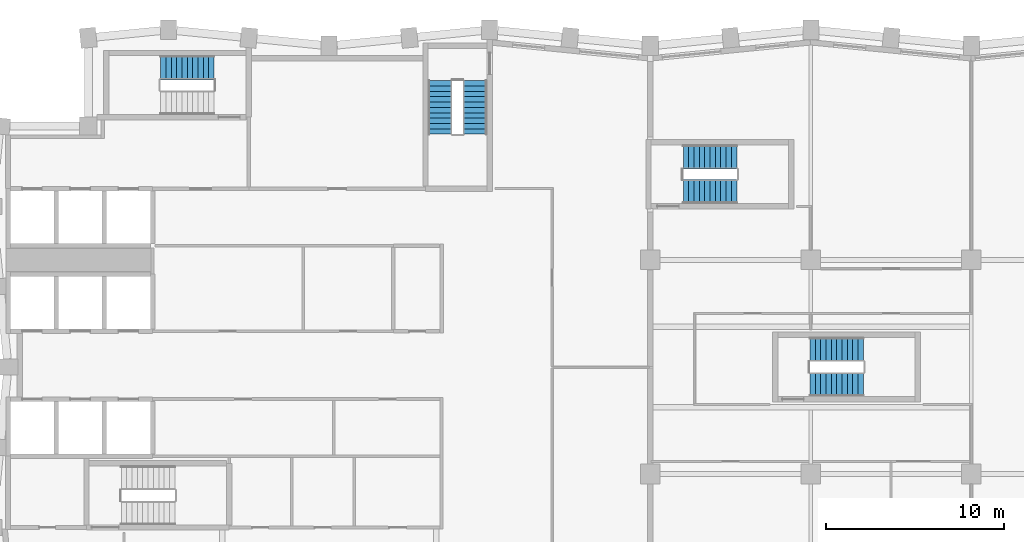
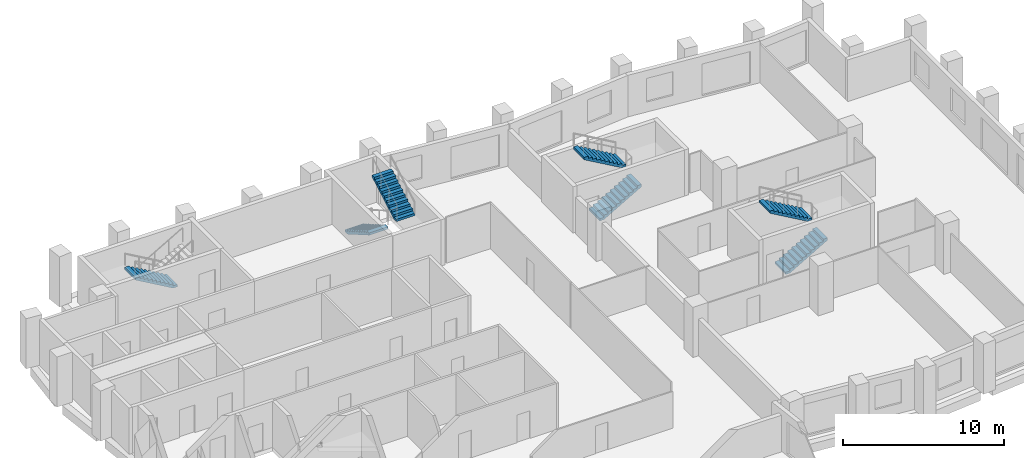
# One storey, part 8 of 10: 7 stair flights, 4 elements without a shape of their own.
"""IFC4 building model written with IfcOpenShell, lengths in metres."""

from ifc_helpers import new_model, si_unit, direction, frame, origin, place, context, subcontext, project, spatial, polyline, outline, extrude, material, type_object, element, aggregate, save


model = new_model("IFC4")

# Units and contexts
model_context = context("Model", 3, precision=1e-05, world=origin(), true_north=direction((0.0, 1.0)))
body_context = subcontext(model_context, "Body", "Model", "MODEL_VIEW")
ifc_project = project(units=[si_unit("LENGTHUNIT", "METRE"), si_unit("AREAUNIT", "SQUARE_METRE"), si_unit("VOLUMEUNIT", "CUBIC_METRE"), si_unit("PLANEANGLEUNIT", "RADIAN"), si_unit("MASSUNIT", "GRAM", prefix="KILO")], contexts=[model_context])

# Site, building, storey
site_placement = place(None, origin())
site = spatial("IfcSite", under=ifc_project, at=site_placement, CompositionType="ELEMENT")
building_placement = place(site_placement, origin())
building = spatial("IfcBuilding", under=site, at=building_placement, Name="Brondeck Convention Tower", CompositionType="ELEMENT")
storey_placement = place(building_placement, frame((0.0, 0.0, 154.800048828125)))
storey = spatial("IfcBuildingStorey", under=building, at=storey_placement, Name="L37", CompositionType="ELEMENT", Elevation=154.800048828125)

# Stair, stair flights
ifc_material = material(Name="Precast concrete C50/60", Category="concrete")
stair_type = type_object("IfcStairType", Name="Core stair 22 risers 172.73 mm riser 300 mm going 1350 wide", PredefinedType="HALF_TURN_STAIR", material=ifc_material)
stair_1_placement = place(storey_placement, origin())
stair_1 = element("IfcStair", 1, at=stair_1_placement, inside=storey, type_object=stair_type, Name="ST-2 L37 stair", PredefinedType="HALF_TURN_STAIR")
stair_flight_type = type_object("IfcStairFlightType", Name="Core stair flight 22 risers 172.73 mm riser 300 mm going 1350 wide", PredefinedType="STRAIGHT", material=ifc_material)
stair_flight_1_placement = place(storey_placement, frame((24.22509765625, 61.050048828125, 0.0), z_axis=(0.0, 0.0, 1.0), x_axis=(0.0, -1.0, 0.0)))
stair_flight_1 = element("IfcStairFlight", 2, at=stair_flight_1_placement, type_object=stair_flight_type, Name="ST-2 flight 1", NumberOfRisers=11, NumberOfTreads=10, PredefinedType="STRAIGHT", RiserHeight=0.172727273, TreadLength=0.3, context=body_context, shape_type="SweptSolid", body=[
    extrude(outline(polyline([(0.0, 0.0), (0.0, 0.172607421875), (0.300048828125, 0.172607421875), (0.300048828125, 0.345458984375), (0.60009765625, 0.345458984375), (0.60009765625, 0.51806640625), (0.89990234375, 0.51806640625), (0.89990234375, 0.69091796875), (1.199951171875, 0.69091796875), (1.199951171875, 0.863525390625), (1.5, 0.863525390625), (1.5, 1.036376953125), (1.800048828125, 1.036376953125), (1.800048828125, 1.208984375), (2.10009765625, 1.208984375), (2.10009765625, 1.3818359375), (2.39990234375, 1.3818359375), (2.39990234375, 1.554443359375), (2.699951171875, 1.554443359375), (2.699951171875, 1.727294921875), (3.0, 1.727294921875), (3.0, 1.89990234375), (3.0, 1.55419921875), (0.300537109375, 0.0), (0.0, 0.0)])), frame((0.0, 0.675048828125, 0.0), z_axis=(0.0, -1.0, 0.0), x_axis=(1.0, 0.0, 0.0)), (0.0, 0.0, 1.0), 1.35009765625),
])
stair_flight_2_placement = place(storey_placement, frame((26.175048828125, 58.050048828125, 1.89990234375), z_axis=(0.0, 0.0, 1.0), x_axis=(0.0, 1.0, 0.0)))
stair_flight_2 = element("IfcStairFlight", 3, at=stair_flight_2_placement, type_object=stair_flight_type, Name="ST-2 flight 2", NumberOfRisers=11, NumberOfTreads=10, PredefinedType="STRAIGHT", RiserHeight=0.172727273, TreadLength=0.3, context=body_context, shape_type="SweptSolid", body=[
    extrude(outline(polyline([(0.0, 0.0), (0.0, 0.172607421875), (0.300048828125, 0.172607421875), (0.300048828125, 0.345458984375), (0.60009765625, 0.345458984375), (0.60009765625, 0.51806640625), (0.89990234375, 0.51806640625), (0.89990234375, 0.69091796875), (1.199951171875, 0.69091796875), (1.199951171875, 0.863525390625), (1.5, 0.863525390625), (1.5, 1.036376953125), (1.800048828125, 1.036376953125), (1.800048828125, 1.208984375), (2.10009765625, 1.208984375), (2.10009765625, 1.3818359375), (2.39990234375, 1.3818359375), (2.39990234375, 1.554443359375), (2.699951171875, 1.554443359375), (2.699951171875, 1.727294921875), (3.0, 1.727294921875), (3.0, 1.89990234375), (3.0, 1.55419921875), (0.300537109375, 0.0), (0.0, 0.0)])), frame((0.0, 0.675048828125, 0.0), z_axis=(0.0, -1.0, 0.0), x_axis=(1.0, 0.0, 0.0)), (0.0, 0.0, 1.0), 1.35009765625),
])
aggregate(stair_1, [stair_flight_1, stair_flight_2])

# Stair, stair flight
stair_2_placement = place(storey_placement, origin())
stair_2 = element("IfcStair", 4, at=stair_2_placement, inside=storey, type_object=stair_type, Name="ST-3 L37 stair", PredefinedType="HALF_TURN_STAIR")
stair_flight_3_placement = place(storey_placement, frame((11.550048828125, 61.77490234375, 0.0), z_axis=(0.0, 0.0, 1.0), x_axis=(-1.0, 0.0, 0.0)))
stair_flight_3 = element("IfcStairFlight", 5, at=stair_flight_3_placement, type_object=stair_flight_type, Name="ST-3 flight 1", NumberOfRisers=11, NumberOfTreads=10, PredefinedType="STRAIGHT", RiserHeight=0.172727273, TreadLength=0.3, context=body_context, shape_type="SweptSolid", body=[
    extrude(outline(polyline([(0.0, 0.0), (0.0, 0.172607421875), (0.300048828125, 0.172607421875), (0.300048828125, 0.345458984375), (0.60009765625, 0.345458984375), (0.60009765625, 0.51806640625), (0.89990234375, 0.51806640625), (0.89990234375, 0.69091796875), (1.199951171875, 0.69091796875), (1.199951171875, 0.863525390625), (1.5, 0.863525390625), (1.5, 1.036376953125), (1.800048828125, 1.036376953125), (1.800048828125, 1.208984375), (2.10009765625, 1.208984375), (2.10009765625, 1.3818359375), (2.39990234375, 1.3818359375), (2.39990234375, 1.554443359375), (2.699951171875, 1.554443359375), (2.699951171875, 1.727294921875), (3.0, 1.727294921875), (3.0, 1.89990234375), (3.0, 1.55419921875), (0.300537109375, 0.0), (0.0, 0.0)])), frame((0.0, 0.675048828125, 0.0), z_axis=(0.0, -1.0, 0.0), x_axis=(1.0, 0.0, 0.0)), (0.0, 0.0, 1.0), 1.35009765625),
])
aggregate(stair_2, [stair_flight_3])

# Stair, stair flights
stair_3_placement = place(storey_placement, origin())
stair_3 = element("IfcStair", 6, at=stair_3_placement, inside=storey, type_object=stair_type, Name="ST-AE L37 stair", PredefinedType="HALF_TURN_STAIR")
stair_flight_4_placement = place(storey_placement, frame((37.85009765625, 54.824951171875, 0.0), z_axis=(0.0, 0.0, 1.0), x_axis=(1.0, 0.0, 0.0)))
stair_flight_4 = element("IfcStairFlight", 7, at=stair_flight_4_placement, type_object=stair_flight_type, Name="ST-AE flight 1", NumberOfRisers=11, NumberOfTreads=10, PredefinedType="STRAIGHT", RiserHeight=0.172727273, TreadLength=0.3, context=body_context, shape_type="SweptSolid", body=[
    extrude(outline(polyline([(0.0, 0.0), (0.0, 0.172607421875), (0.300048828125, 0.172607421875), (0.300048828125, 0.345458984375), (0.60009765625, 0.345458984375), (0.60009765625, 0.51806640625), (0.89990234375, 0.51806640625), (0.89990234375, 0.69091796875), (1.199951171875, 0.69091796875), (1.199951171875, 0.863525390625), (1.5, 0.863525390625), (1.5, 1.036376953125), (1.800048828125, 1.036376953125), (1.800048828125, 1.208984375), (2.10009765625, 1.208984375), (2.10009765625, 1.3818359375), (2.39990234375, 1.3818359375), (2.39990234375, 1.554443359375), (2.699951171875, 1.554443359375), (2.699951171875, 1.727294921875), (3.0, 1.727294921875), (3.0, 1.89990234375), (3.0, 1.55419921875), (0.300537109375, 0.0), (0.0, 0.0)])), frame((0.0, 0.675048828125, 0.0), z_axis=(0.0, -1.0, 0.0), x_axis=(1.0, 0.0, 0.0)), (0.0, 0.0, 1.0), 1.35009765625),
])
stair_flight_5_placement = place(storey_placement, frame((40.85009765625, 56.77490234375, 1.89990234375), z_axis=(0.0, 0.0, 1.0), x_axis=(-1.0, 0.0, 0.0)))
stair_flight_5 = element("IfcStairFlight", 8, at=stair_flight_5_placement, type_object=stair_flight_type, Name="ST-AE flight 2", NumberOfRisers=11, NumberOfTreads=10, PredefinedType="STRAIGHT", RiserHeight=0.172727273, TreadLength=0.3, context=body_context, shape_type="SweptSolid", body=[
    extrude(outline(polyline([(0.0, 0.0), (0.0, 0.172607421875), (0.300048828125, 0.172607421875), (0.300048828125, 0.345458984375), (0.60009765625, 0.345458984375), (0.60009765625, 0.51806640625), (0.89990234375, 0.51806640625), (0.89990234375, 0.69091796875), (1.199951171875, 0.69091796875), (1.199951171875, 0.863525390625), (1.5, 0.863525390625), (1.5, 1.036376953125), (1.800048828125, 1.036376953125), (1.800048828125, 1.208984375), (2.10009765625, 1.208984375), (2.10009765625, 1.3818359375), (2.39990234375, 1.3818359375), (2.39990234375, 1.554443359375), (2.699951171875, 1.554443359375), (2.699951171875, 1.727294921875), (3.0, 1.727294921875), (3.0, 1.89990234375), (3.0, 1.55419921875), (0.300537109375, 0.0), (0.0, 0.0)])), frame((0.0, 0.675048828125, 0.0), z_axis=(0.0, -1.0, 0.0), x_axis=(1.0, 0.0, 0.0)), (0.0, 0.0, 1.0), 1.35009765625),
])
aggregate(stair_3, [stair_flight_4, stair_flight_5])

stair_4_placement = place(storey_placement, origin())
stair_4 = element("IfcStair", 9, at=stair_4_placement, inside=storey, type_object=stair_type, Name="ST-AF L37 stair", PredefinedType="HALF_TURN_STAIR")
stair_flight_6_placement = place(storey_placement, frame((44.949951171875, 44.02490234375, 0.0), z_axis=(0.0, 0.0, 1.0), x_axis=(1.0, 0.0, 0.0)))
stair_flight_6 = element("IfcStairFlight", 10, at=stair_flight_6_placement, type_object=stair_flight_type, Name="ST-AF flight 1", NumberOfRisers=11, NumberOfTreads=10, PredefinedType="STRAIGHT", RiserHeight=0.172727273, TreadLength=0.3, context=body_context, shape_type="SweptSolid", body=[
    extrude(outline(polyline([(0.0, 0.0), (0.0, 0.172607421875), (0.300048828125, 0.172607421875), (0.300048828125, 0.345458984375), (0.60009765625, 0.345458984375), (0.60009765625, 0.51806640625), (0.89990234375, 0.51806640625), (0.89990234375, 0.69091796875), (1.199951171875, 0.69091796875), (1.199951171875, 0.863525390625), (1.5, 0.863525390625), (1.5, 1.036376953125), (1.800048828125, 1.036376953125), (1.800048828125, 1.208984375), (2.10009765625, 1.208984375), (2.10009765625, 1.3818359375), (2.39990234375, 1.3818359375), (2.39990234375, 1.554443359375), (2.699951171875, 1.554443359375), (2.699951171875, 1.727294921875), (3.0, 1.727294921875), (3.0, 1.89990234375), (3.0, 1.55419921875), (0.300537109375, 0.0), (0.0, 0.0)])), frame((0.0, 0.675048828125, 0.0), z_axis=(0.0, -1.0, 0.0), x_axis=(1.0, 0.0, 0.0)), (0.0, 0.0, 1.0), 1.35009765625),
])
stair_flight_7_placement = place(storey_placement, frame((47.949951171875, 45.97509765625, 1.89990234375), z_axis=(0.0, 0.0, 1.0), x_axis=(-1.0, 0.0, 0.0)))
stair_flight_7 = element("IfcStairFlight", 11, at=stair_flight_7_placement, type_object=stair_flight_type, Name="ST-AF flight 2", NumberOfRisers=11, NumberOfTreads=10, PredefinedType="STRAIGHT", RiserHeight=0.172727273, TreadLength=0.3, context=body_context, shape_type="SweptSolid", body=[
    extrude(outline(polyline([(0.0, 0.0), (0.0, 0.172607421875), (0.300048828125, 0.172607421875), (0.300048828125, 0.345458984375), (0.60009765625, 0.345458984375), (0.60009765625, 0.51806640625), (0.89990234375, 0.51806640625), (0.89990234375, 0.69091796875), (1.199951171875, 0.69091796875), (1.199951171875, 0.863525390625), (1.5, 0.863525390625), (1.5, 1.036376953125), (1.800048828125, 1.036376953125), (1.800048828125, 1.208984375), (2.10009765625, 1.208984375), (2.10009765625, 1.3818359375), (2.39990234375, 1.3818359375), (2.39990234375, 1.554443359375), (2.699951171875, 1.554443359375), (2.699951171875, 1.727294921875), (3.0, 1.727294921875), (3.0, 1.89990234375), (3.0, 1.55419921875), (0.300537109375, 0.0), (0.0, 0.0)])), frame((0.0, 0.675048828125, 0.0), z_axis=(0.0, -1.0, 0.0), x_axis=(1.0, 0.0, 0.0)), (0.0, 0.0, 1.0), 1.35009765625),
])
aggregate(stair_4, [stair_flight_6, stair_flight_7])

save(model, "model.ifc")
